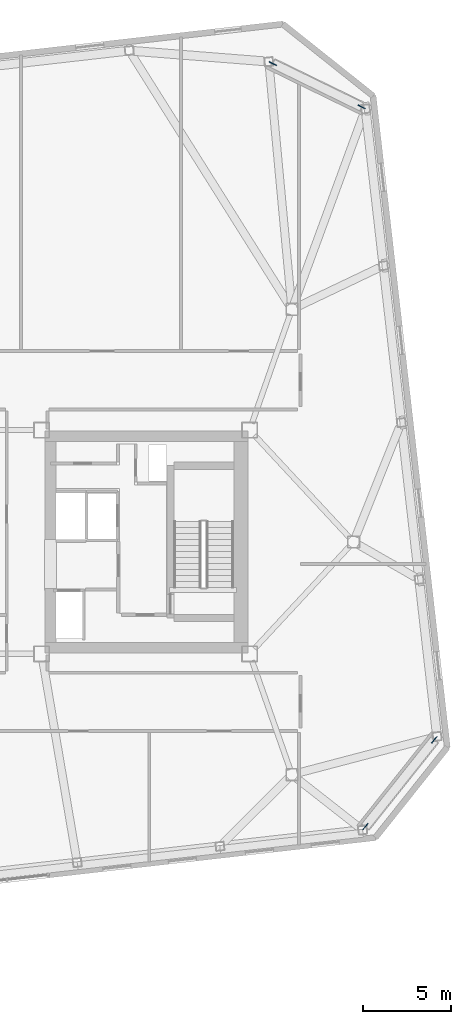
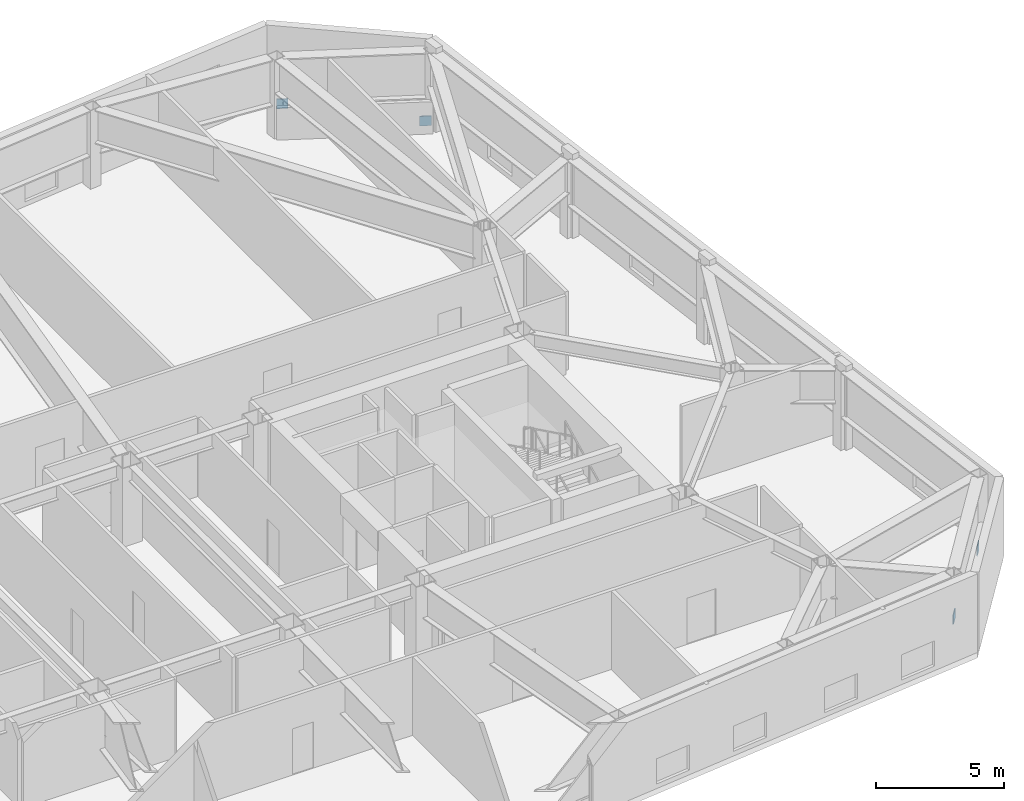
# One storey, part 18 of 20: 4 discrete accessories.
"""IFC4 building model written with IfcOpenShell, lengths in metres."""

import ifcopenshell
import ifcopenshell.guid

model = None  # the IFC model being written
_history = None  # IfcOwnerHistory: only IFC2X3 demands one
_inside = {}  # id of a spatial element -> (the spatial element, [elements in it])
_under = {}  # id of a project, library or spatial element -> (it, [spatial elements below it])
_declared = {}  # id of a project -> (the project, [libraries it declares])
_typed = {}  # id of a type object -> (the type object, [elements of that type])
_made_of = {}  # id of a material, layer set ... -> (it, [elements and type objects made of it])


def new_model(schema):
    """Start an empty IFC model of exactly this schema.

    Asked for "IFC4X3", IfcOpenShell would pick the latest addendum, in which some entities
    have other attributes; the version numbers below select the first issue.
    IFC2X3 requires an IfcOwnerHistory on every rooted entity: one is made here for all.
    """
    global model, _history
    if schema == "IFC4X3":
        model = ifcopenshell.file(schema_version=(4, 3, 0, 0))
    else:
        model = ifcopenshell.file(schema=schema)
    _inside.clear()
    _under.clear()
    _declared.clear()
    _typed.clear()
    _made_of.clear()
    _history = None
    if model.schema == "IFC2X3":
        org = make("IfcOrganization", Name="unknown")
        user = make(
            "IfcPersonAndOrganization",
            ThePerson=make("IfcPerson", FamilyName="unknown"),
            TheOrganization=org,
        )
        app = make(
            "IfcApplication",
            ApplicationDeveloper=org,
            Version="unknown",
            ApplicationFullName="unknown",
            ApplicationIdentifier="unknown",
        )
        _history = make(
            "IfcOwnerHistory",
            OwningUser=user,
            OwningApplication=app,
            ChangeAction="ADDED",
            CreationDate=0,
        )
    return model


def make(cls, **values):
    """One entity of the class cls with the attributes given. An attribute that is None is left unset."""
    return model.create_entity(
        cls, **{name: value for name, value in values.items() if value is not None}
    )


def rooted(cls, **values):
    """An entity with a GlobalId (a new one), such as an element, a storey or a relation."""
    return make(cls, GlobalId=ifcopenshell.guid.new(), OwnerHistory=_history, **values)


def si_unit(unit_type, name, prefix=None):
    """IfcSIUnit, for example si_unit("LENGTHUNIT", "METRE", prefix="MILLI")."""
    return make("IfcSIUnit", UnitType=unit_type, Prefix=prefix, Name=name)


def assignment(units):
    """IfcUnitAssignment: the units of a project."""
    return None if units is None else make("IfcUnitAssignment", Units=units)


def point(xyz):
    """IfcCartesianPoint."""
    return None if xyz is None else make("IfcCartesianPoint", Coordinates=xyz)


def direction(xyz):
    """IfcDirection."""
    return None if xyz is None else make("IfcDirection", DirectionRatios=xyz)


def frame(location, z_axis=None, x_axis=None):
    """IfcAxis2Placement3D, a coordinate frame: its origin and axes. An axis left out is left unset."""
    return make(
        "IfcAxis2Placement3D",
        Location=point(location),
        Axis=direction(z_axis),
        RefDirection=direction(x_axis),
    )


def frame_2d(location, x_axis=None):
    """IfcAxis2Placement2D, a coordinate frame in the plane: its origin and x axis."""
    return make(
        "IfcAxis2Placement2D", Location=point(location), RefDirection=direction(x_axis)
    )


def origin():
    """The frame at (0, 0, 0) with its axes left unset."""
    return frame((0.0, 0.0, 0.0))


def origin_2d():
    """The frame at (0, 0) in the plane with its x axis left unset."""
    return frame_2d((0.0, 0.0))


def place(relative_to, where):
    """IfcLocalPlacement: puts the frame where relative to a parent placement (None: the world)."""
    return make(
        "IfcLocalPlacement", PlacementRelTo=relative_to, RelativePlacement=where
    )


def context(
    kind, dimensions, precision=None, world=None, true_north=None, identifier=None
):
    """IfcGeometricRepresentationContext, for example the 3D "Model" context."""
    return make(
        "IfcGeometricRepresentationContext",
        ContextIdentifier=identifier,
        ContextType=kind,
        CoordinateSpaceDimension=dimensions,
        Precision=precision,
        WorldCoordinateSystem=world,
        TrueNorth=true_north,
    )


def subcontext(parent, identifier, kind, view, scale=None):
    """IfcGeometricRepresentationSubContext, for example "Body" below "Model"."""
    return make(
        "IfcGeometricRepresentationSubContext",
        ContextIdentifier=identifier,
        ContextType=kind,
        ParentContext=parent,
        TargetScale=scale,
        TargetView=view,
    )


def project(units=None, contexts=None):
    """IfcProject with its units and contexts."""
    return rooted(
        "IfcProject",
        Name="project",
        RepresentationContexts=contexts,
        UnitsInContext=assignment(units),
    )


def spatial(cls, under=None, at=None, **own):
    """A site, building, storey or space (cls), placed at a placement, below another one or the project."""
    s = rooted(cls, ObjectPlacement=at, **own)
    if under is not None:
        _under.setdefault(under.id(), (under, []))[1].append(s)
    return s


def profile(cls, at=None, kind="AREA", **sizes):
    """A parametric profile (cls). Its sizes go by their IFC names, for example OverallWidth=200.0."""
    return make(cls, ProfileType=kind, Position=at, **sizes)


def rectangle(**sizes):
    """IfcRectangleProfileDef."""
    return profile("IfcRectangleProfileDef", **sizes)


def extrude(swept, where, along, depth):
    """IfcExtrudedAreaSolid: the profile swept, set in the frame where, extruded along a direction by depth."""
    return make(
        "IfcExtrudedAreaSolid",
        SweptArea=swept,
        Position=where,
        ExtrudedDirection=direction(along),
        Depth=depth,
    )


def shape(context_of_items, identifier, shape_type, items):
    """IfcShapeRepresentation: the items that make up one representation, for example the "Body"."""
    return make(
        "IfcShapeRepresentation",
        ContextOfItems=context_of_items,
        RepresentationIdentifier=identifier,
        RepresentationType=shape_type,
        Items=items,
    )


def material(Name=None, Category=None):
    """IfcMaterial."""
    return make("IfcMaterial", Name=Name, Category=Category)


def made_of(thing, what):
    """Note that an element or type object is made of a material, layer set ...; save() writes the relation."""
    if what is not None:
        _made_of.setdefault(what.id(), (what, []))[1].append(thing)
    return thing


def type_object(cls, material=None, **own):
    """A type object (cls), such as IfcWallType, which elements share."""
    return made_of(rooted(cls, **own), material)


def element(
    cls,
    number,
    at=None,
    inside=None,
    cuts=None,
    type_object=None,
    material=None,
    context=None,
    identifier="Body",
    shape_type=None,
    held_by="IfcProductDefinitionShape",
    body=None,
    shapes=None,
    **own,
):
    """One element of the class cls, such as IfcWall. Its Tag is "e" and its number.

    at: its placement. inside: the storey or other place that contains it. cuts: it is an
    opening in that element (IfcRelVoidsElement). A single representation is given by context,
    identifier, shape_type and body (its items); several are given by shapes. held_by: the class
    of the entity that holds the representations. save() writes the other relations.
    """
    e = rooted(cls, Tag="e%d" % number, ObjectPlacement=at, **own)
    if body is not None:
        shapes = [shape(context, identifier, shape_type, body)]
    if shapes is not None:
        e.Representation = make(held_by, Representations=shapes)
    if inside is not None:
        _inside.setdefault(inside.id(), (inside, []))[1].append(e)
    if cuts is not None:
        rooted(
            "IfcRelVoidsElement", RelatingBuildingElement=cuts, RelatedOpeningElement=e
        )
    if type_object is not None:
        _typed.setdefault(type_object.id(), (type_object, []))[1].append(e)
    return made_of(e, material)


def aggregate(whole, parts):
    """IfcRelAggregates: a whole, such as a stair, and the parts it consists of."""
    return rooted("IfcRelAggregates", RelatingObject=whole, RelatedObjects=parts)


def save(model, path):
    """Write the relations noted so far, then the file.

    IfcRelAggregates (storeys below a building ...), IfcRelContainedInSpatialStructure (elements
    in a storey), IfcRelDefinesByType, IfcRelAssociatesMaterial and IfcRelDeclares: one each for
    every whole, place, type object, material and project.
    """
    for whole, parts in _under.values():
        aggregate(whole, parts)
    for where, things in _inside.values():
        rooted(
            "IfcRelContainedInSpatialStructure",
            RelatedElements=things,
            RelatingStructure=where,
        )
    for kind, things in _typed.values():
        rooted("IfcRelDefinesByType", RelatedObjects=things, RelatingType=kind)
    for what, things in _made_of.values():
        rooted("IfcRelAssociatesMaterial", RelatedObjects=things, RelatingMaterial=what)
    for by, libraries in _declared.values():
        rooted("IfcRelDeclares", RelatingContext=by, RelatedDefinitions=libraries)
    model.write(path)


model = new_model("IFC4")

# Units and contexts
model_context = context("Model", 3, precision=1e-05, world=origin(), true_north=direction((0.0, 1.0)))
body_context = subcontext(model_context, "Body", "Model", "MODEL_VIEW")
ifc_project = project(units=[si_unit("LENGTHUNIT", "METRE"), si_unit("AREAUNIT", "SQUARE_METRE"), si_unit("VOLUMEUNIT", "CUBIC_METRE"), si_unit("PLANEANGLEUNIT", "RADIAN"), si_unit("MASSUNIT", "GRAM", prefix="KILO")], contexts=[model_context])

# Site, building, storey
site_placement = place(None, origin())
site = spatial("IfcSite", under=ifc_project, at=site_placement, CompositionType="ELEMENT")
building_placement = place(site_placement, origin())
building = spatial("IfcBuilding", under=site, at=building_placement, Name="Tavrogorsk Clinical Tower", CompositionType="ELEMENT")
storey_placement = place(building_placement, frame((0.0, 0.0, 214.199951171875)))
storey = spatial("IfcBuildingStorey", under=building, at=storey_placement, Name="L49", CompositionType="ELEMENT", Elevation=214.199951171875)

# Discrete accessories
ifc_material = material(Name="Structural steel S440", Category="steel")
discrete_accessory_type = type_object("IfcDiscreteAccessoryType", Name="GussetPlateBracket_25", PredefinedType="BRACKET", material=ifc_material)
for number, where, z_axis, x_axis, name in (
    (1, (32.576171875, -11.231689453125, 0.114501953125), (0.0, 0.0, 1.0), (-0.622514636638, -0.782608156852, 0.0), "L49 Brace Gusset Plate EXOCRN-L49-1-A"),
    (2, (28.666748046875, -16.146484375, 1.215576171875), (0.0, 0.0, 1.0), (-0.622514636638, -0.782608156852, 0.0), "L49 Brace Gusset Plate EXOCRN-L49-1-B"),
    (3, (28.449462890625, 24.687744140625, 0.119384765625), (0.0, 0.0, 1.0), (-0.898794046299, 0.438371146789, 0.0), "L49 Brace Gusset Plate EXOCRN-L49-2-A"),
    (4, (23.415771484375, 27.142333984375, 1.210693359375), (0.0, 0.0, 1.0), (-0.898794046299, 0.438371146789, 0.0), "L49 Brace Gusset Plate EXOCRN-L49-2-B"),
):
    element("IfcDiscreteAccessory", number, at=place(storey_placement, frame(where, z_axis=z_axis, x_axis=x_axis)), inside=storey, type_object=discrete_accessory_type, Name=name, PredefinedType="BRACKET", context=body_context, shape_type="SweptSolid", body=[
        extrude(rectangle(XDim=0.4599609375, YDim=0.0400390625, at=origin_2d()), origin(), (0.0, 0.0, 1.0), 0.4599609375),
    ])

save(model, "model.ifc")
